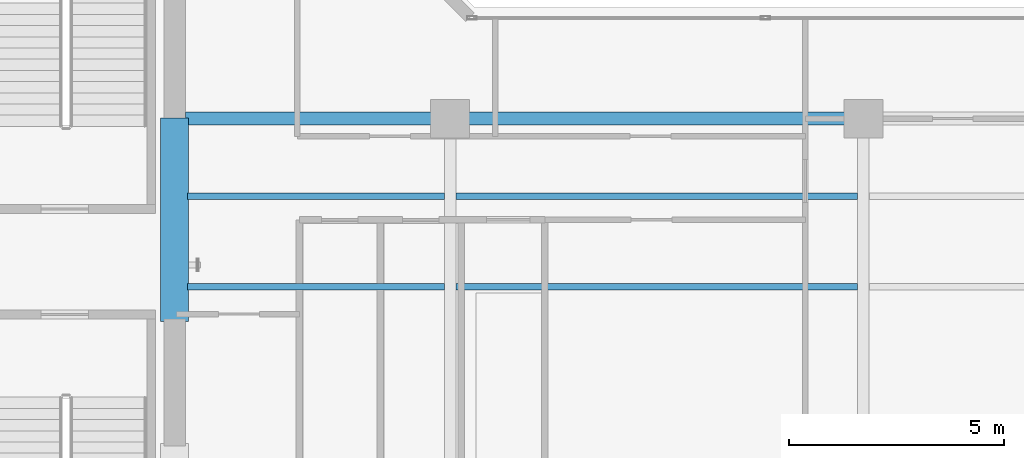
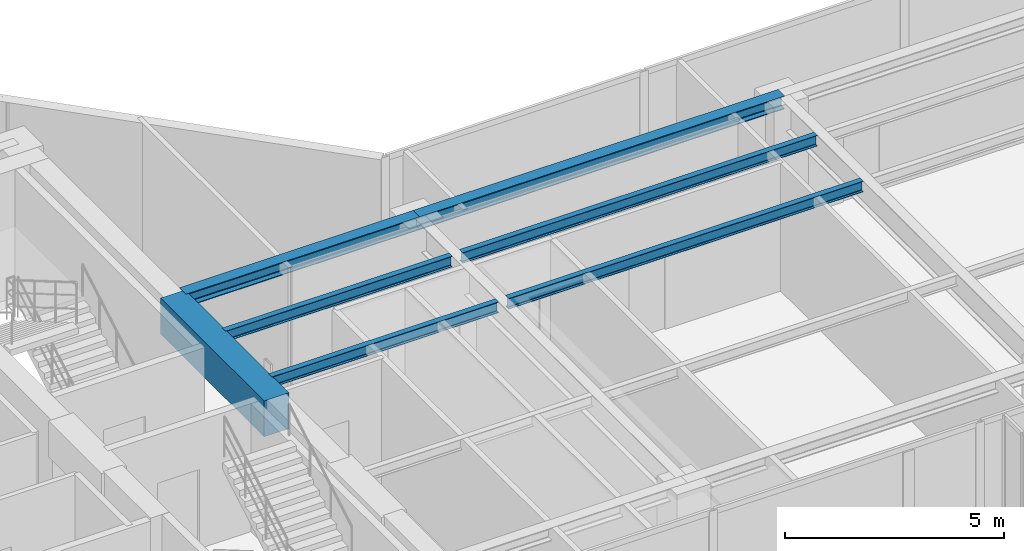
# One storey, part 6 of 23: 7 beams.
"""IFC4 building model written with IfcOpenShell, lengths in metres."""

from ifc_helpers import new_model, si_unit, direction, frame, origin, origin_2d, place, context, subcontext, project, spatial, rectangle, i_section, extrude, material, material_profile, profile_set, type_object, element, save


model = new_model("IFC4")

# Units and contexts
model_context = context("Model", 3, precision=1e-05, world=origin(), true_north=direction((0.0, 1.0)))
body_context = subcontext(model_context, "Body", "Model", "MODEL_VIEW")
ifc_project = project(units=[si_unit("LENGTHUNIT", "METRE"), si_unit("AREAUNIT", "SQUARE_METRE"), si_unit("VOLUMEUNIT", "CUBIC_METRE"), si_unit("PLANEANGLEUNIT", "RADIAN"), si_unit("MASSUNIT", "GRAM", prefix="KILO")], contexts=[model_context])

# Site, building, storey
site_placement = place(None, origin())
site = spatial("IfcSite", under=ifc_project, at=site_placement, CompositionType="ELEMENT")
building_placement = place(site_placement, origin())
building = spatial("IfcBuilding", under=site, at=building_placement, Name="Kolvaren Waterfront Exchange", CompositionType="ELEMENT")
storey_placement = place(building_placement, frame((0.0, 0.0, 270.39990234375)))
storey = spatial("IfcBuildingStorey", under=building, at=storey_placement, Name="L69", CompositionType="ELEMENT", Elevation=270.39990234375)

# Beams
ifc_material_1 = material(Name="Steel S355", Category="steel")
ifc_material_profile_1 = material_profile(ifc_material_1, i_section(OverallWidth=0.300048828125, OverallDepth=0.360107421875, WebThickness=0.012451171875, FlangeThickness=0.0224609375, FilletRadius=0.027099609375, at=origin_2d()), Name="HEB360")
ifc_profile_set_1 = profile_set([ifc_material_profile_1], Name="Steel S355")
beam_type_1 = type_object("IfcBeamType", Name="STR-BM-HEB360", PredefinedType="SPANDREL", material=ifc_profile_set_1)
beam_1_placement = place(storey_placement, frame((21.050048828125, 17.39990234375, 3.380126953125), z_axis=(1.0, 0.0, 0.0), x_axis=(0.0, 1.0, 0.0)))
element("IfcBeam", 1, at=beam_1_placement, inside=storey, type_object=beam_type_1, Name="L69 east-arm spandrel N1", PredefinedType="SPANDREL", context=body_context, shape_type="SweptSolid", body=[
    extrude(i_section(OverallWidth=0.300048828125, OverallDepth=0.360107421875, WebThickness=0.012451171875, FlangeThickness=0.0224609375, FilletRadius=0.027099609375, at=origin_2d()), origin(), (0.0, 0.0, 1.0), 6.14990234375),
])
beam_2_placement = place(storey_placement, frame((27.199951171875, 17.39990234375, 3.380126953125), z_axis=(1.0, 0.0, 0.0), x_axis=(0.0, 1.0, 0.0)))
element("IfcBeam", 2, at=beam_2_placement, inside=storey, type_object=beam_type_1, Name="L69 east-arm spandrel N2", PredefinedType="SPANDREL", context=body_context, shape_type="SweptSolid", body=[
    extrude(i_section(OverallWidth=0.300048828125, OverallDepth=0.360107421875, WebThickness=0.012451171875, FlangeThickness=0.0224609375, FilletRadius=0.027099609375, at=origin_2d()), origin(), (0.0, 0.0, 1.0), 9.60009765625),
])
ifc_material_profile_2 = material_profile(ifc_material_1, i_section(OverallWidth=0.14990234375, OverallDepth=0.300048828125, WebThickness=0.007080078125, FlangeThickness=0.0107421875, FilletRadius=0.014892578125, at=origin_2d()), Name="IPE300")
ifc_profile_set_2 = profile_set([ifc_material_profile_2], Name="Steel S355")
beam_type_2 = type_object("IfcBeamType", Name="STR-BM-IPE300", PredefinedType="JOIST", material=ifc_profile_set_2)
for number, where, z_axis, x_axis, name in (
    (3, (21.10009765625, 13.5, 3.41015625), (1.0, 0.0, 0.0), (0.0, 1.0, 0.0), "L69 east-arm composite joist 1A"),
    (4, (21.10009765625, 15.60009765625, 3.41015625), (1.0, 0.0, 0.0), (0.0, 1.0, 0.0), "L69 east-arm composite joist 1C"),
):
    element("IfcBeam", number, at=place(storey_placement, frame(where, z_axis=z_axis, x_axis=x_axis)), inside=storey, type_object=beam_type_2, Name=name, PredefinedType="JOIST", context=body_context, shape_type="SweptSolid", body=[
        extrude(i_section(OverallWidth=0.14990234375, OverallDepth=0.300048828125, WebThickness=0.007080078125, FlangeThickness=0.0107421875, FilletRadius=0.014892578125, at=origin_2d()), origin(), (0.0, 0.0, 1.0), 5.96435546875),
    ])
for number, where, z_axis, x_axis, name in (
    (5, (27.33544921875, 13.5, 3.41015625), (1.0, 0.0, 0.0), (0.0, 1.0, 0.0), "L69 east-arm composite joist 2A"),
    (6, (27.33544921875, 15.60009765625, 3.41015625), (1.0, 0.0, 0.0), (0.0, 1.0, 0.0), "L69 east-arm composite joist 2C"),
):
    element("IfcBeam", number, at=place(storey_placement, frame(where, z_axis=z_axis, x_axis=x_axis)), inside=storey, type_object=beam_type_2, Name=name, PredefinedType="JOIST", context=body_context, shape_type="SweptSolid", body=[
        extrude(i_section(OverallWidth=0.14990234375, OverallDepth=0.300048828125, WebThickness=0.007080078125, FlangeThickness=0.0107421875, FilletRadius=0.014892578125, at=origin_2d()), origin(), (0.0, 0.0, 1.0), 9.3291015625),
    ])
ifc_material_2 = material(Name="Concrete C60/75", Category="concrete")
ifc_material_profile_3 = material_profile(ifc_material_2, rectangle(XDim=0.64990234375, YDim=1.0, at=origin_2d()), Name="RC-CB-1000x650")
ifc_profile_set_3 = profile_set([ifc_material_profile_3], Name="Concrete C60/75")
beam_type_3 = type_object("IfcBeamType", Name="STR-CB-1000", PredefinedType="SPANDREL", material=ifc_profile_set_3)
beam_3_placement = place(storey_placement, frame((20.800048828125, 12.68994140625, 3.06005859375), z_axis=(0.0, 1.0, 0.0), x_axis=(-1.0, 0.0, 0.0)))
element("IfcBeam", 7, at=beam_3_placement, inside=storey, type_object=beam_type_3, Name="L69 core coupling beam 2", PredefinedType="SPANDREL", context=body_context, shape_type="SweptSolid", body=[
    extrude(rectangle(XDim=0.64990234375, YDim=1.0, at=origin_2d()), origin(), (0.0, 0.0, 1.0), 4.719970703125),
])

save(model, "model.ifc")
